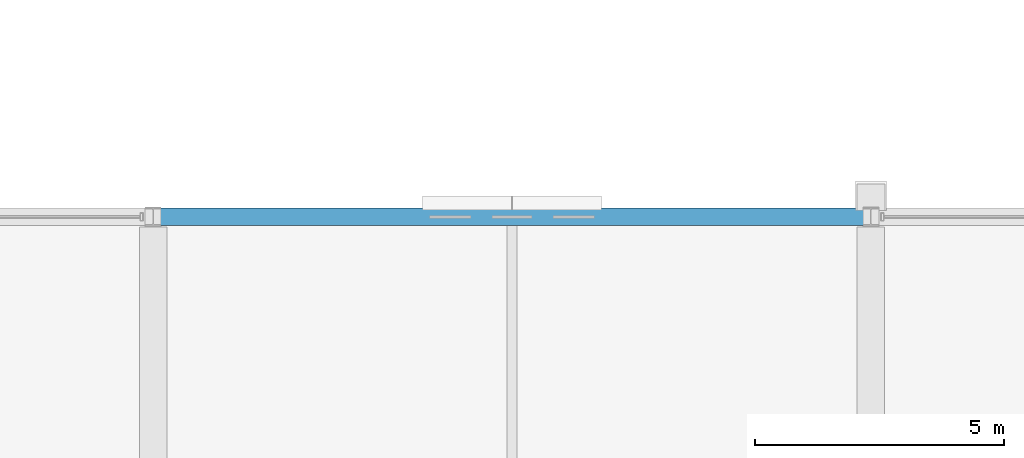
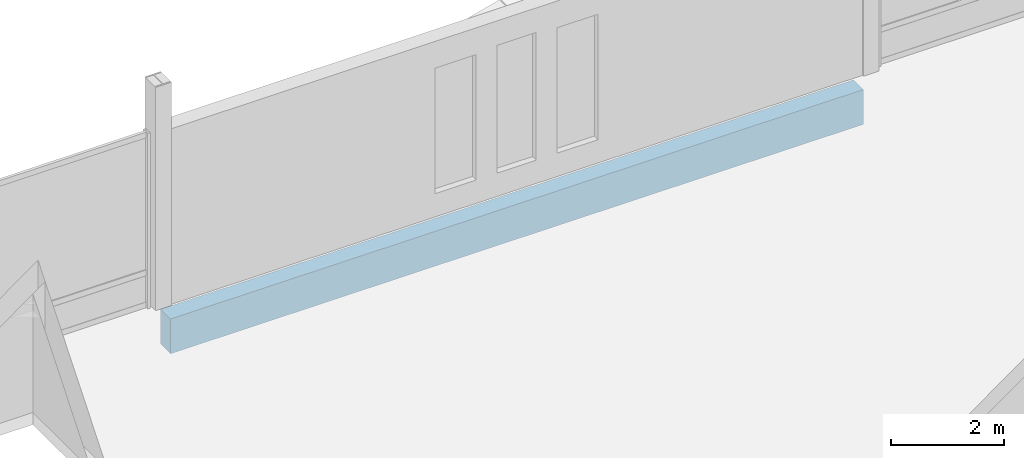
# One storey, part 36 of 193: 1 beam.
"""IFC4 building model written with IfcOpenShell, lengths in metres."""

from ifc_helpers import new_model, si_unit, direction, frame, origin, origin_2d, place, context, subcontext, project, spatial, rectangle, extrude, material, material_profile, profile_set, type_object, element, save


model = new_model("IFC4")

# Units and contexts
model_context = context("Model", 3, precision=1e-05, world=origin(), true_north=direction((0.0, 1.0)))
body_context = subcontext(model_context, "Body", "Model", "MODEL_VIEW")
ifc_project = project(units=[si_unit("LENGTHUNIT", "METRE"), si_unit("AREAUNIT", "SQUARE_METRE"), si_unit("VOLUMEUNIT", "CUBIC_METRE"), si_unit("PLANEANGLEUNIT", "RADIAN"), si_unit("MASSUNIT", "GRAM", prefix="KILO")], contexts=[model_context])

# Site, building, storey
site_placement = place(None, origin())
site = spatial("IfcSite", under=ifc_project, at=site_placement, CompositionType="ELEMENT")
building_placement = place(site_placement, origin())
building = spatial("IfcBuilding", under=site, at=building_placement, Name="Cendralis Lancet Convention Centre", CompositionType="ELEMENT")
storey_placement = place(building_placement, frame((0.0, 0.0, 10.199951171875)))
storey = spatial("IfcBuildingStorey", under=building, at=storey_placement, Name="L02", CompositionType="ELEMENT", Elevation=10.199951171875)

# Beam
ifc_material = material(Name="Concrete G40 (C40/50)", Category="concrete")
ifc_material_profile = material_profile(ifc_material, rectangle(XDim=0.35009765625, YDim=0.75, at=origin_2d()), Name="RCB 350x750")
ifc_profile_set = profile_set([ifc_material_profile], Name="Concrete G40 (C40/50)")
beam_type = type_object("IfcBeamType", Name="STR-SP-SP01", PredefinedType="SPANDREL", material=ifc_profile_set)
beam_placement = place(storey_placement, frame((108.14990234375, 36.0, -0.675048828125), z_axis=(1.0, 0.0, 0.0), x_axis=(0.0, 1.0, 0.0)))
element("IfcBeam", 1, at=beam_placement, inside=storey, type_object=beam_type, Name="L02 Beam SP01 #0850", PredefinedType="SPANDREL", context=body_context, shape_type="SweptSolid", body=[
    extrude(rectangle(XDim=0.35009765625, YDim=0.75, at=origin_2d()), origin(), (0.0, 0.0, 1.0), 14.10009765625),
])

save(model, "model.ifc")
